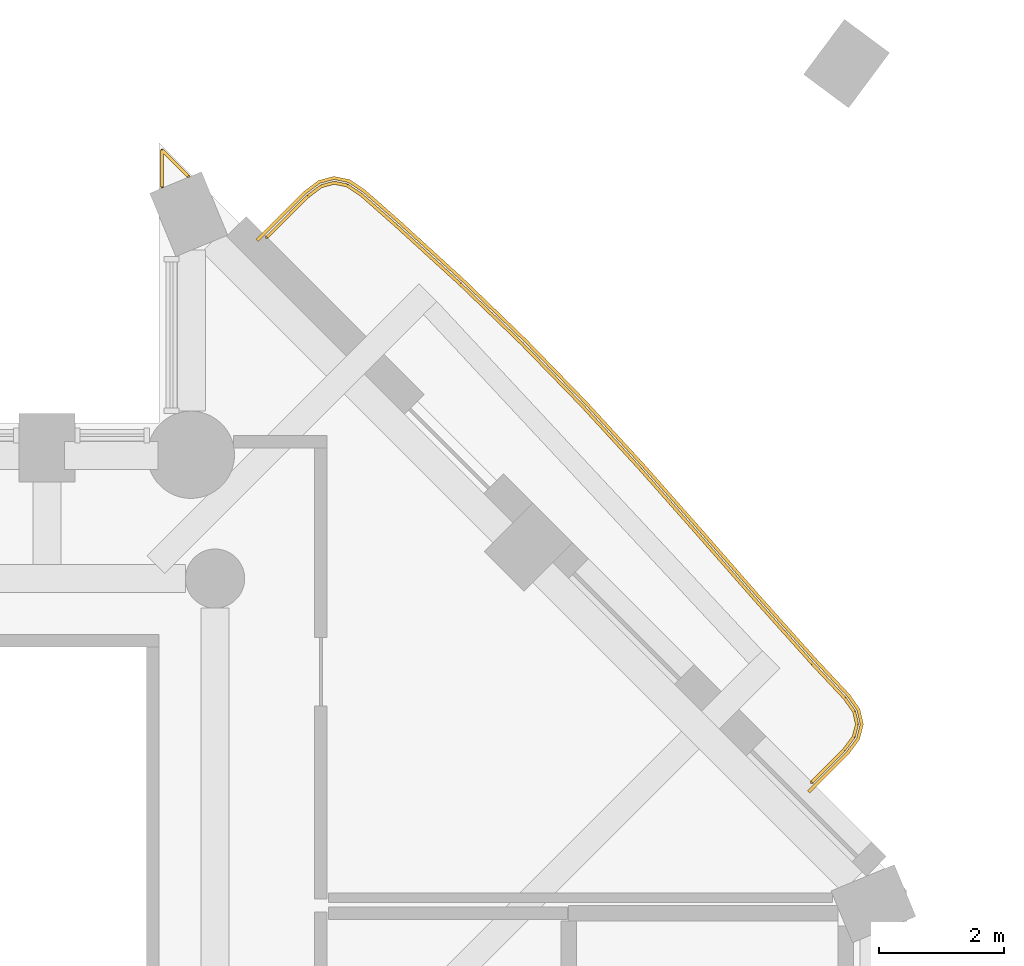
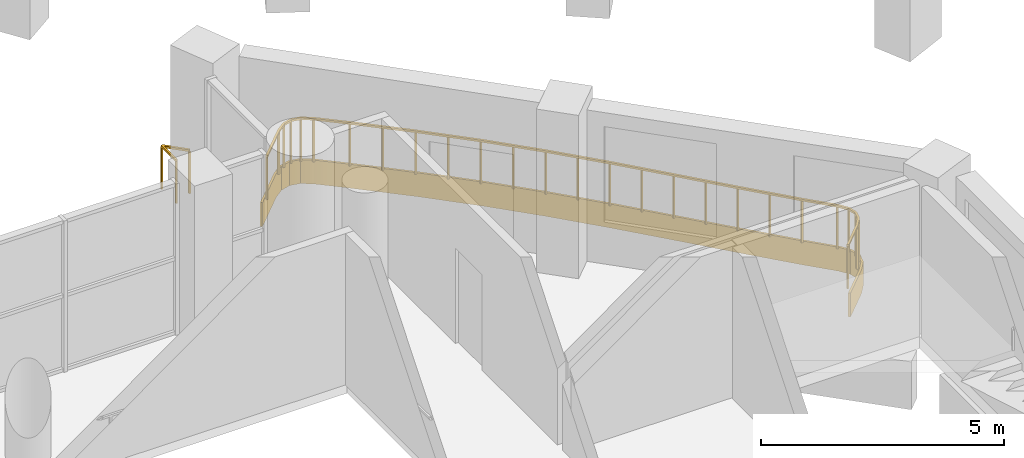
# One storey, part 13 of 13: 2 railings, 1 covering.
"""IFC4 building model written with IfcOpenShell, lengths in metres."""

from ifc_helpers import new_model, si_unit, direction, frame, origin, origin_2d, place, context, subcontext, project, spatial, polyline, rectangle, outline, extrude, material, layer, layer_set, type_object, element, save


model = new_model("IFC4")

# Units and contexts
model_context = context("Model", 3, precision=1e-05, world=origin(), true_north=direction((0.0, 1.0)))
body_context = subcontext(model_context, "Body", "Model", "MODEL_VIEW")
ifc_project = project(units=[si_unit("LENGTHUNIT", "METRE"), si_unit("AREAUNIT", "SQUARE_METRE"), si_unit("VOLUMEUNIT", "CUBIC_METRE"), si_unit("PLANEANGLEUNIT", "RADIAN"), si_unit("MASSUNIT", "GRAM", prefix="KILO")], contexts=[model_context])

# Site, building, storey
site_placement = place(None, origin())
site = spatial("IfcSite", under=ifc_project, at=site_placement, CompositionType="ELEMENT")
building_placement = place(site_placement, origin())
building = spatial("IfcBuilding", under=site, at=building_placement, Name="Cypress Arch Tower", CompositionType="ELEMENT")
storey_placement = place(building_placement, frame((0.0, 0.0, 209.699951171875)))
storey = spatial("IfcBuildingStorey", under=building, at=storey_placement, Name="L46", CompositionType="ELEMENT", Elevation=209.699951171875)

# Covering
ifc_material_1 = material(Name="White powder-coated aluminium fascia", Category="aluminium")
ifc_layer = layer(ifc_material_1, 0.050048828125)
ifc_layer_set = layer_set([ifc_layer], Name="Balcony fascia BF50")
covering_type = type_object("IfcCoveringType", Name="Balcony fascia BF50", PredefinedType="CLADDING", material=ifc_layer_set)
covering_placement = place(storey_placement, frame((0.0, 0.0, -0.599853515625)))
element("IfcCovering", 1, at=covering_placement, inside=storey, type_object=covering_type, Name="Balcony fascia L46-B05", PredefinedType="CLADDING", context=body_context, shape_type="SweptSolid", body=[
    extrude(outline(polyline([(10.42724609375, 16.216064453125), (10.660400390625, 16.391357421875), (10.906982421875, 16.45751953125), (11.1572265625, 16.406982421875), (11.401123046875, 16.24658203125), (11.976806640625, 15.7392578125), (13.002197265625, 14.80322265625), (14.0, 13.839599609375), (14.966552734375, 12.844482421875), (15.90478515625, 11.8212890625), (16.82421875, 10.7802734375), (17.738525390625, 9.7353515625), (18.6630859375, 8.701416015625), (19.1865234375, 8.14306640625), (19.353271484375, 7.9052734375), (19.408935546875, 7.658935546875), (19.345458984375, 7.41455078125), (19.171142578125, 7.182373046875), (18.545166015625, 6.556396484375), (18.509765625, 6.591796875), (19.13330078125, 7.215087890625), (19.299560546875, 7.4365234375), (19.357421875, 7.659912109375), (19.306884765625, 7.884765625), (19.147705078125, 8.111572265625), (18.626220703125, 8.667724609375), (17.701171875, 9.7021484375), (16.78662109375, 10.747314453125), (15.86767578125, 11.787841796875), (14.93017578125, 12.81005859375), (13.96484375, 13.80419921875), (12.9677734375, 14.766845703125), (11.943603515625, 15.701904296875), (11.37060546875, 16.206787109375), (11.137939453125, 16.35986328125), (10.90869140625, 16.40625), (10.6826171875, 16.345703125), (10.460205078125, 16.17822265625), (9.691650390625, 15.40966796875), (9.65625, 15.445068359375), (10.42724609375, 16.216064453125)])), origin(), (0.0, 0.0, 1.0), 0.599853515625),
])

# Railings
ifc_material_2 = material(Name="Powder-coated steel posts and rods, 100 mm clear between rods", Category="steel")
railing_type_1 = type_object("IfcRailingType", Name="Balcony guard GR1100", PredefinedType="GUARDRAIL", material=ifc_material_2)
railing_1_placement = place(storey_placement, frame((9.83251953125, 15.479736328125, 0.0)))
element("IfcRailing", 2, at=railing_1_placement, inside=storey, type_object=railing_type_1, Name="Balcony guard L46-B05", PredefinedType="GUARDRAIL", context=body_context, shape_type="SweptSolid", body=[
    extrude(rectangle(XDim=0.050048828125, YDim=0.050048828125, at=origin_2d()), frame((0.0, 0.0, 1.0751953125), z_axis=(0.706976089612, 0.70723744861, 0.0), x_axis=(-0.70723744861, 0.706976089612, 0.0)), (0.0, 0.0, 1.0), 0.93408203125),
    extrude(rectangle(XDim=0.050048828125, YDim=0.050048828125, at=origin_2d()), frame((0.660400390625, 0.66064453125, 1.0751953125), z_axis=(0.79944768378, 0.60073571635, 0.0), x_axis=(-0.60073571635, 0.79944768378, 0.0)), (0.0, 0.0, 1.0), 0.265380859375),
    extrude(rectangle(XDim=0.050048828125, YDim=0.050048828125, at=origin_2d()), frame((0.87255859375, 0.820068359375, 1.0751953125), z_axis=(0.965660142607, 0.259808562178, 0.0), x_axis=(-0.259808562178, 0.965660142607, 0.0)), (0.0, 0.0, 1.0), 0.21240234375),
    extrude(rectangle(XDim=0.050048828125, YDim=0.050048828125, at=origin_2d()), frame((1.07763671875, 0.875244140625, 1.0751953125), z_axis=(0.980092126668, -0.198543252826, 0.0), x_axis=(0.198543252826, 0.980092126668, 0.0)), (0.0, 0.0, 1.0), 0.212646484375),
    extrude(rectangle(XDim=0.050048828125, YDim=0.050048828125, at=origin_2d()), frame((1.2861328125, 0.8330078125, 1.0751953125), z_axis=(0.835294654986, -0.549802545785, 0.0), x_axis=(0.549802545785, 0.835294654986, 0.0)), (0.0, 0.0, 1.0), 0.26513671875),
    extrude(rectangle(XDim=0.050048828125, YDim=0.050048828125, at=origin_2d()), frame((1.507568359375, 0.687255859375, 1.0751953125), z_axis=(0.750362789945, -0.661026235082, 0.0), x_axis=(0.661026235082, 0.750362789945, 0.0)), (0.0, 0.0, 1.0), 0.759765625),
    extrude(rectangle(XDim=0.050048828125, YDim=0.050048828125, at=origin_2d()), frame((2.07763671875, 0.18505859375, 1.0751953125), z_axis=(0.738439728374, -0.674319484784, 0.0), x_axis=(0.674319484784, 0.738439728374, 0.0)), (0.0, 0.0, 1.0), 1.385986328125),
    extrude(rectangle(XDim=0.050048828125, YDim=0.050048828125, at=origin_2d()), frame((3.10107421875, -0.74951171875, 1.0751953125), z_axis=(0.719431850623, -0.694563036959, 0.0), x_axis=(0.694563036959, 0.719431850623, 0.0)), (0.0, 0.0, 1.0), 1.38427734375),
    extrude(rectangle(XDim=0.050048828125, YDim=0.050048828125, at=origin_2d()), frame((4.096923828125, -1.7109375, 1.0751953125), z_axis=(0.696624934802, -0.717435502475, 0.0), x_axis=(0.717435502475, 0.696624934802, 0.0)), (0.0, 0.0, 1.0), 1.38427734375),
    extrude(rectangle(XDim=0.050048828125, YDim=0.050048828125, at=origin_2d()), frame((5.061279296875, -2.7041015625, 1.0751953125), z_axis=(0.675971896066, -0.73692740194, 0.0), x_axis=(0.73692740194, 0.675971896066, 0.0)), (0.0, 0.0, 1.0), 1.3857421875),
    extrude(rectangle(XDim=0.050048828125, YDim=0.050048828125, at=origin_2d()), frame((5.998046875, -3.725341796875, 1.0751953125), z_axis=(0.661935829978, -0.749560509226, 0.0), x_axis=(0.749560509226, 0.661935829978, 0.0)), (0.0, 0.0, 1.0), 1.387451171875),
    extrude(rectangle(XDim=0.050048828125, YDim=0.050048828125, at=origin_2d()), frame((6.91650390625, -4.765380859375, 1.0751953125), z_axis=(0.65861659671, -0.752478689756, 0.0), x_axis=(0.752478689756, 0.65861659671, 0.0)), (0.0, 0.0, 1.0), 1.388916015625),
    extrude(rectangle(XDim=0.050048828125, YDim=0.050048828125, at=origin_2d()), frame((7.831298828125, -5.810546875, 1.0751953125), z_axis=(0.66653271154, -0.745475783944, 0.0), x_axis=(0.745475783944, 0.66653271154, 0.0)), (0.0, 0.0, 1.0), 1.388671875),
    extrude(rectangle(XDim=0.050048828125, YDim=0.050048828125, at=origin_2d()), frame((8.7568359375, -6.845703125, 1.0751953125), z_axis=(0.683919747075, -0.729557248995, 0.0), x_axis=(0.729557248995, 0.683919747075, 0.0)), (0.0, 0.0, 1.0), 0.759521484375),
    extrude(rectangle(XDim=0.050048828125, YDim=0.050048828125, at=origin_2d()), frame((9.2763671875, -7.39990234375, 1.0751953125), z_axis=(0.57464362992, -0.818403750353, 0.0), x_axis=(0.818403750353, 0.57464362992, 0.0)), (0.0, 0.0, 1.0), 0.263427734375),
    extrude(rectangle(XDim=0.050048828125, YDim=0.050048828125, at=origin_2d()), frame((9.427734375, -7.615478515625, 1.0751953125), z_axis=(0.218788285527, -0.975772353634, 0.0), x_axis=(0.975772353634, 0.218788285527, 0.0)), (0.0, 0.0, 1.0), 0.208740234375),
    extrude(rectangle(XDim=0.050048828125, YDim=0.050048828125, at=origin_2d()), frame((9.473388671875, -7.819091796875, 1.0751953125), z_axis=(-0.250515245535, -0.968112654475, 0.0), x_axis=(0.968112654475, -0.250515245535, 0.0)), (0.0, 0.0, 1.0), 0.20849609375),
    extrude(rectangle(XDim=0.050048828125, YDim=0.050048828125, at=origin_2d()), frame((9.421142578125, -8.02099609375, 1.0751953125), z_axis=(-0.600444681108, -0.799666295982, 0.0), x_axis=(0.799666295982, -0.600444681108, 0.0)), (0.0, 0.0, 1.0), 0.263427734375),
    extrude(rectangle(XDim=0.050048828125, YDim=0.050048828125, at=origin_2d()), frame((9.262939453125, -8.231689453125, 1.0751953125), z_axis=(-0.707106781187, -0.707106781187, 0.0), x_axis=(0.707106781187, -0.707106781187, 0.0)), (0.0, 0.0, 1.0), 0.729248046875),
    extrude(rectangle(XDim=0.0400390625, YDim=0.0400390625, at=origin_2d()), origin(), (0.0, 0.0, 1.0), 1.050048828125),
    extrude(rectangle(XDim=0.0400390625, YDim=0.0400390625, at=origin_2d()), frame((0.660400390625, 0.66064453125, 0.0)), (0.0, 0.0, 1.0), 1.050048828125),
    extrude(rectangle(XDim=0.0400390625, YDim=0.0400390625, at=origin_2d()), frame((0.87255859375, 0.820068359375, 0.0)), (0.0, 0.0, 1.0), 1.050048828125),
    extrude(rectangle(XDim=0.0400390625, YDim=0.0400390625, at=origin_2d()), frame((1.07763671875, 0.875244140625, 0.0)), (0.0, 0.0, 1.0), 1.050048828125),
    extrude(rectangle(XDim=0.0400390625, YDim=0.0400390625, at=origin_2d()), frame((1.2861328125, 0.8330078125, 0.0)), (0.0, 0.0, 1.0), 1.050048828125),
    extrude(rectangle(XDim=0.0400390625, YDim=0.0400390625, at=origin_2d()), frame((1.507568359375, 0.687255859375, 0.0)), (0.0, 0.0, 1.0), 1.050048828125),
    extrude(rectangle(XDim=0.0400390625, YDim=0.0400390625, at=origin_2d()), frame((2.07763671875, 0.18505859375, 0.0)), (0.0, 0.0, 1.0), 1.050048828125),
    extrude(rectangle(XDim=0.0400390625, YDim=0.0400390625, at=origin_2d()), frame((2.58935546875, -0.2822265625, 0.0)), (0.0, 0.0, 1.0), 1.050048828125),
    extrude(rectangle(XDim=0.0400390625, YDim=0.0400390625, at=origin_2d()), frame((3.10107421875, -0.74951171875, 0.0)), (0.0, 0.0, 1.0), 1.050048828125),
    extrude(rectangle(XDim=0.0400390625, YDim=0.0400390625, at=origin_2d()), frame((3.59912109375, -1.230224609375, 0.0)), (0.0, 0.0, 1.0), 1.050048828125),
    extrude(rectangle(XDim=0.0400390625, YDim=0.0400390625, at=origin_2d()), frame((4.096923828125, -1.7109375, 0.0)), (0.0, 0.0, 1.0), 1.050048828125),
    extrude(rectangle(XDim=0.0400390625, YDim=0.0400390625, at=origin_2d()), frame((4.5791015625, -2.20751953125, 0.0)), (0.0, 0.0, 1.0), 1.050048828125),
    extrude(rectangle(XDim=0.0400390625, YDim=0.0400390625, at=origin_2d()), frame((5.061279296875, -2.7041015625, 0.0)), (0.0, 0.0, 1.0), 1.050048828125),
    extrude(rectangle(XDim=0.0400390625, YDim=0.0400390625, at=origin_2d()), frame((5.52978515625, -3.21484375, 0.0)), (0.0, 0.0, 1.0), 1.050048828125),
    extrude(rectangle(XDim=0.0400390625, YDim=0.0400390625, at=origin_2d()), frame((5.998046875, -3.725341796875, 0.0)), (0.0, 0.0, 1.0), 1.050048828125),
    extrude(rectangle(XDim=0.0400390625, YDim=0.0400390625, at=origin_2d()), frame((6.457275390625, -4.245361328125, 0.0)), (0.0, 0.0, 1.0), 1.050048828125),
    extrude(rectangle(XDim=0.0400390625, YDim=0.0400390625, at=origin_2d()), frame((6.91650390625, -4.765380859375, 0.0)), (0.0, 0.0, 1.0), 1.050048828125),
    extrude(rectangle(XDim=0.0400390625, YDim=0.0400390625, at=origin_2d()), frame((7.3740234375, -5.2880859375, 0.0)), (0.0, 0.0, 1.0), 1.050048828125),
    extrude(rectangle(XDim=0.0400390625, YDim=0.0400390625, at=origin_2d()), frame((7.831298828125, -5.810546875, 0.0)), (0.0, 0.0, 1.0), 1.050048828125),
    extrude(rectangle(XDim=0.0400390625, YDim=0.0400390625, at=origin_2d()), frame((8.2939453125, -6.328125, 0.0)), (0.0, 0.0, 1.0), 1.050048828125),
    extrude(rectangle(XDim=0.0400390625, YDim=0.0400390625, at=origin_2d()), frame((8.7568359375, -6.845703125, 0.0)), (0.0, 0.0, 1.0), 1.050048828125),
    extrude(rectangle(XDim=0.0400390625, YDim=0.0400390625, at=origin_2d()), frame((9.2763671875, -7.39990234375, 0.0)), (0.0, 0.0, 1.0), 1.050048828125),
    extrude(rectangle(XDim=0.0400390625, YDim=0.0400390625, at=origin_2d()), frame((9.427734375, -7.615478515625, 0.0)), (0.0, 0.0, 1.0), 1.050048828125),
    extrude(rectangle(XDim=0.0400390625, YDim=0.0400390625, at=origin_2d()), frame((9.473388671875, -7.819091796875, 0.0)), (0.0, 0.0, 1.0), 1.050048828125),
    extrude(rectangle(XDim=0.0400390625, YDim=0.0400390625, at=origin_2d()), frame((9.421142578125, -8.02099609375, 0.0)), (0.0, 0.0, 1.0), 1.050048828125),
    extrude(rectangle(XDim=0.0400390625, YDim=0.0400390625, at=origin_2d()), frame((9.262939453125, -8.231689453125, 0.0)), (0.0, 0.0, 1.0), 1.050048828125),
    extrude(rectangle(XDim=0.0400390625, YDim=0.0400390625, at=origin_2d()), frame((8.747314453125, -8.747314453125, 0.0)), (0.0, 0.0, 1.0), 1.050048828125),
])
ifc_material_3 = material(Name="Powder-coated steel posts and rods, 100 mm clear between rods", Category="steel")
railing_type_2 = type_object("IfcRailingType", Name="Corner guard GR1100C", PredefinedType="GUARDRAIL", material=ifc_material_3)
railing_2_placement = place(storey_placement, frame((8.14990234375, 16.290771484375, 0.0)))
element("IfcRailing", 3, at=railing_2_placement, inside=storey, type_object=railing_type_2, Name="Corner guard L46 7", PredefinedType="GUARDRAIL", context=body_context, shape_type="SweptSolid", body=[
    extrude(rectangle(XDim=0.050048828125, YDim=0.050048828125, at=origin_2d()), frame((0.0, 0.0, 1.0751953125), z_axis=(0.0, 1.0, 0.0), x_axis=(-1.0, 0.0, 0.0)), (0.0, 0.0, 1.0), 0.588623046875),
    extrude(rectangle(XDim=0.050048828125, YDim=0.050048828125, at=origin_2d()), frame((0.0, 0.588623046875, 1.0751953125), z_axis=(0.707106781187, -0.707106781187, 0.0), x_axis=(0.707106781187, 0.707106781187, 0.0)), (0.0, 0.0, 1.0), 0.588623046875),
    extrude(rectangle(XDim=0.0400390625, YDim=0.0400390625, at=origin_2d()), origin(), (0.0, 0.0, 1.0), 1.050048828125),
    extrude(rectangle(XDim=0.0400390625, YDim=0.0400390625, at=origin_2d()), frame((0.0, 0.588623046875, 0.0)), (0.0, 0.0, 1.0), 1.050048828125),
    extrude(rectangle(XDim=0.0400390625, YDim=0.0400390625, at=origin_2d()), frame((0.416259765625, 0.17236328125, 0.0)), (0.0, 0.0, 1.0), 1.050048828125),
])

save(model, "model.ifc")
